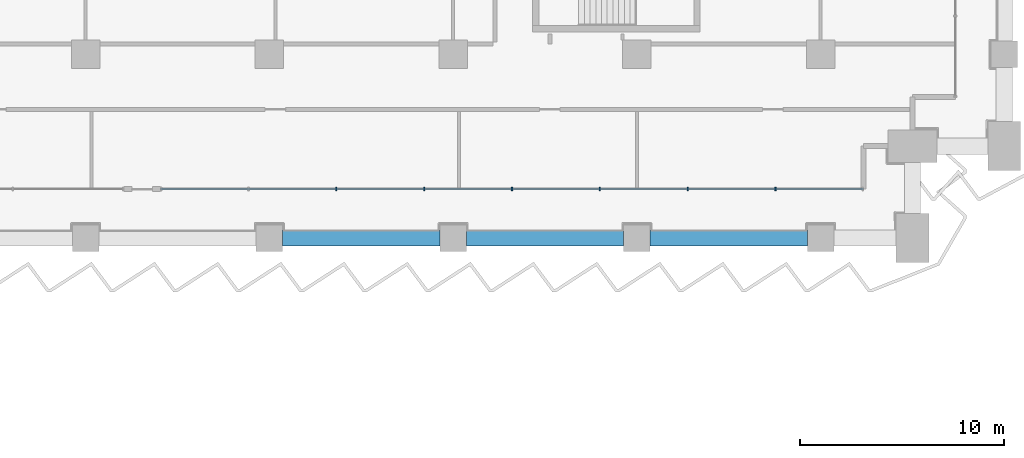
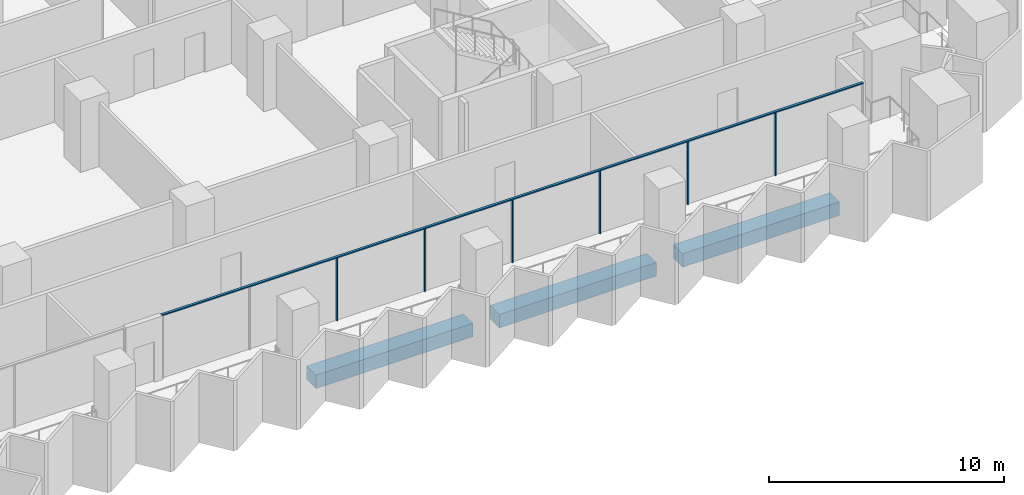
# One storey, part 5 of 29: 7 members, 3 beams, 1 element without a shape of its own.
"""IFC4 building model written with IfcOpenShell, lengths in metres."""

from ifc_helpers import new_model, si_unit, direction, frame, origin, origin_2d, place, context, subcontext, project, spatial, rectangle, extrude, material, material_profile, profile_set, type_object, element, aggregate, save


model = new_model("IFC4")

# Units and contexts
model_context = context("Model", 3, precision=1e-05, world=origin(), true_north=direction((0.0, 1.0)))
body_context = subcontext(model_context, "Body", "Model", "MODEL_VIEW")
ifc_project = project(units=[si_unit("LENGTHUNIT", "METRE"), si_unit("AREAUNIT", "SQUARE_METRE"), si_unit("VOLUMEUNIT", "CUBIC_METRE"), si_unit("PLANEANGLEUNIT", "RADIAN"), si_unit("MASSUNIT", "GRAM", prefix="KILO")], contexts=[model_context])

# Site, building, storey
site_placement = place(None, origin())
site = spatial("IfcSite", under=ifc_project, at=site_placement, CompositionType="ELEMENT")
building_placement = place(site_placement, origin())
building = spatial("IfcBuilding", under=site, at=building_placement, Name="Hunhe Ridgeline Campus", CompositionType="ELEMENT")
storey_placement = place(building_placement, frame((0.0, 0.0, 69.10009765625)))
storey = spatial("IfcBuildingStorey", under=building, at=storey_placement, Name="L16", CompositionType="ELEMENT", Elevation=69.10009765625)

# Curtain wall, members
ifc_material_1 = material(Name="Aluminium 6063", Category="aluminium")
curtain_wall_type = type_object("IfcCurtainWallType", Name="Curtain wall CW-1", PredefinedType="NOTDEFINED", material=ifc_material_1)
curtain_wall_placement = place(storey_placement, origin())
curtain_wall = element("IfcCurtainWall", 1, at=curtain_wall_placement, inside=storey, type_object=curtain_wall_type, Name="Curtain wall 13", PredefinedType="NOTDEFINED")
ifc_material_profile_1 = material_profile(ifc_material_1, rectangle(XDim=0.159912109375, YDim=0.06005859375, at=origin_2d()))
ifc_profile_set_1 = profile_set([ifc_material_profile_1], Name="Aluminium 6063")
member_type_1 = type_object("IfcMemberType", Name="CW-1 aluminium mullion", PredefinedType="MULLION", material=ifc_profile_set_1)
member_1_placement = place(storey_placement, frame((66.280517578125, 56.40087890625, 0.0), z_axis=(0.0, 0.0, 1.0), x_axis=(-3.602063e-06, 0.999999999994, 0.0)))
member_1 = element("IfcMember", 2, at=member_1_placement, type_object=member_type_1, Name="CW-1 mullion 3", PredefinedType="MULLION", context=body_context, shape_type="SweptSolid", body=[
    extrude(rectangle(XDim=0.159912109375, YDim=0.06005859375, at=origin_2d()), origin(), (0.0, 0.0, 1.0), 3.239990234375),
])
member_2_placement = place(storey_placement, frame((70.58349609375, 56.40087890625, 0.0), z_axis=(0.0, 0.0, 1.0), x_axis=(-3.602063e-06, 0.999999999994, 0.0)))
member_2 = element("IfcMember", 3, at=member_2_placement, type_object=member_type_1, Name="CW-1 mullion 4", PredefinedType="MULLION", context=body_context, shape_type="SweptSolid", body=[
    extrude(rectangle(XDim=0.159912109375, YDim=0.06005859375, at=origin_2d()), origin(), (0.0, 0.0, 1.0), 3.239990234375),
])
member_3_placement = place(storey_placement, frame((74.88671875, 56.40087890625, 0.0), z_axis=(0.0, 0.0, 1.0), x_axis=(-3.602063e-06, 0.999999999994, 0.0)))
member_3 = element("IfcMember", 4, at=member_3_placement, type_object=member_type_1, Name="CW-1 mullion 5", PredefinedType="MULLION", context=body_context, shape_type="SweptSolid", body=[
    extrude(rectangle(XDim=0.159912109375, YDim=0.06005859375, at=origin_2d()), origin(), (0.0, 0.0, 1.0), 3.239990234375),
])
member_4_placement = place(storey_placement, frame((79.189697265625, 56.40087890625, 0.0), z_axis=(0.0, 0.0, 1.0), x_axis=(-3.602063e-06, 0.999999999994, 0.0)))
member_4 = element("IfcMember", 5, at=member_4_placement, type_object=member_type_1, Name="CW-1 mullion 6", PredefinedType="MULLION", context=body_context, shape_type="SweptSolid", body=[
    extrude(rectangle(XDim=0.159912109375, YDim=0.06005859375, at=origin_2d()), origin(), (0.0, 0.0, 1.0), 3.239990234375),
])
member_5_placement = place(storey_placement, frame((83.492919921875, 56.40087890625, 0.0), z_axis=(0.0, 0.0, 1.0), x_axis=(-3.602063e-06, 0.999999999994, 0.0)))
member_5 = element("IfcMember", 6, at=member_5_placement, type_object=member_type_1, Name="CW-1 mullion 7", PredefinedType="MULLION", context=body_context, shape_type="SweptSolid", body=[
    extrude(rectangle(XDim=0.159912109375, YDim=0.06005859375, at=origin_2d()), origin(), (0.0, 0.0, 1.0), 3.239990234375),
])
member_6_placement = place(storey_placement, frame((87.7958984375, 56.40087890625, 0.0), z_axis=(0.0, 0.0, 1.0), x_axis=(-3.602063e-06, 0.999999999994, 0.0)))
member_6 = element("IfcMember", 7, at=member_6_placement, type_object=member_type_1, Name="CW-1 mullion 8", PredefinedType="MULLION", context=body_context, shape_type="SweptSolid", body=[
    extrude(rectangle(XDim=0.159912109375, YDim=0.06005859375, at=origin_2d()), origin(), (0.0, 0.0, 1.0), 3.239990234375),
])
ifc_material_profile_2 = material_profile(ifc_material_1, rectangle(XDim=0.1201171875, YDim=0.06005859375, at=origin_2d()))
ifc_profile_set_2 = profile_set([ifc_material_profile_2], Name="Aluminium 6063")
member_type_2 = type_object("IfcMemberType", Name="CW-1 aluminium transom", PredefinedType="USERDEFINED", material=ifc_profile_set_2)
member_7_placement = place(storey_placement, frame((57.67431640625, 56.40087890625, 3.27001953125), z_axis=(1.0, 0.0, 0.0), x_axis=(0.0, 1.0, 0.0)))
member_7 = element("IfcMember", 8, at=member_7_placement, type_object=member_type_2, Name="CW-1 transom 1", ObjectType="TRANSOM", PredefinedType="USERDEFINED", context=body_context, shape_type="SweptSolid", body=[
    extrude(rectangle(XDim=0.1201171875, YDim=0.06005859375, at=origin_2d()), origin(), (0.0, 0.0, 1.0), 34.4248046875),
])
aggregate(curtain_wall, [member_7, member_1, member_2, member_3, member_4, member_5, member_6])

# Beams
ifc_material_2 = material(Name="Concrete C60", Category="concrete")
ifc_material_profile_3 = material_profile(ifc_material_2, rectangle(XDim=0.800048828125, YDim=0.699951171875, at=origin_2d()))
ifc_profile_set_3 = profile_set([ifc_material_profile_3], Name="Concrete C60")
beam_type = type_object("IfcBeamType", Name="RC spandrel beam 800x700 Concrete C60", PredefinedType="SPANDREL", material=ifc_profile_set_3)
for number, where, z_axis, x_axis, name in (
    (9, (63.64990234375, 54.0, -0.60009765625), (1.0, 0.0, 0.0), (0.0, 1.0, 0.0), "Spandrel beam B1-14 L16"),
    (10, (72.64990234375, 54.0, -0.60009765625), (1.0, 0.0, 0.0), (0.0, 1.0, 0.0), "Spandrel beam B1-15 L16"),
    (11, (81.64990234375, 54.0, -0.60009765625), (1.0, 0.0, 0.0), (0.0, 1.0, 0.0), "Spandrel beam B1-16 L16"),
):
    element("IfcBeam", number, at=place(storey_placement, frame(where, z_axis=z_axis, x_axis=x_axis)), inside=storey, type_object=beam_type, Name=name, PredefinedType="SPANDREL", context=body_context, shape_type="SweptSolid", body=[
        extrude(rectangle(XDim=0.800048828125, YDim=0.699951171875, at=origin_2d()), origin(), (0.0, 0.0, 1.0), 7.7001953125),
    ])

save(model, "model.ifc")
